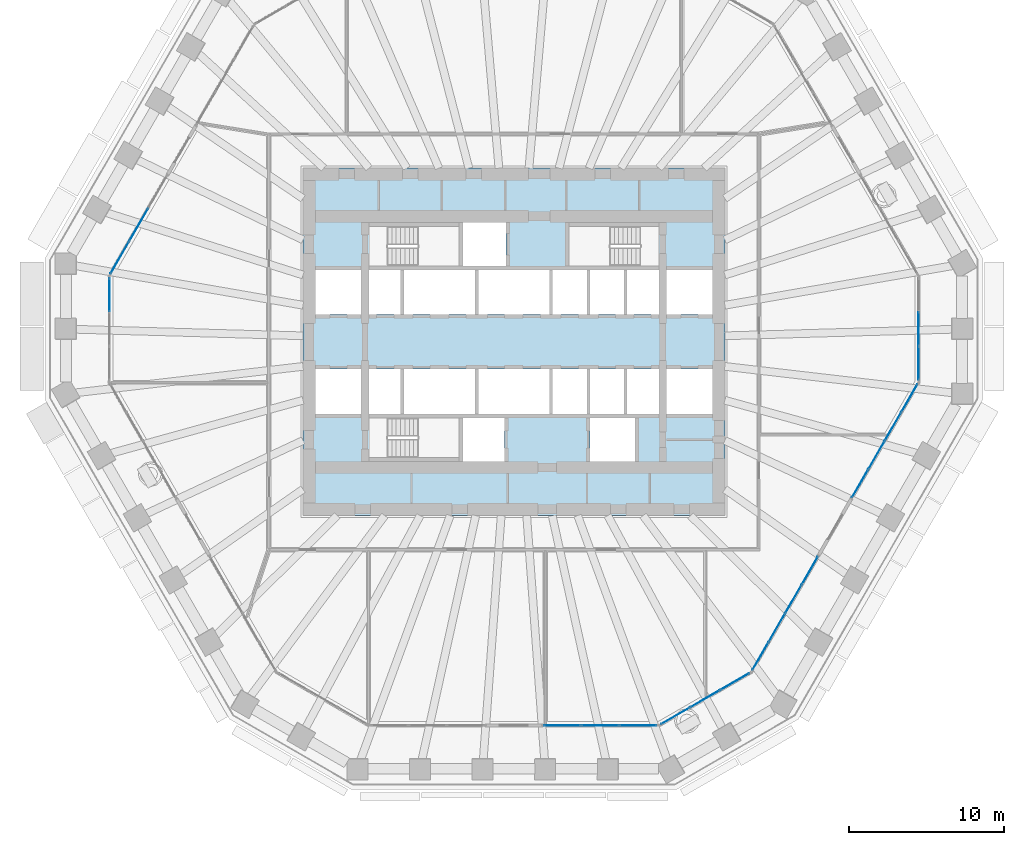
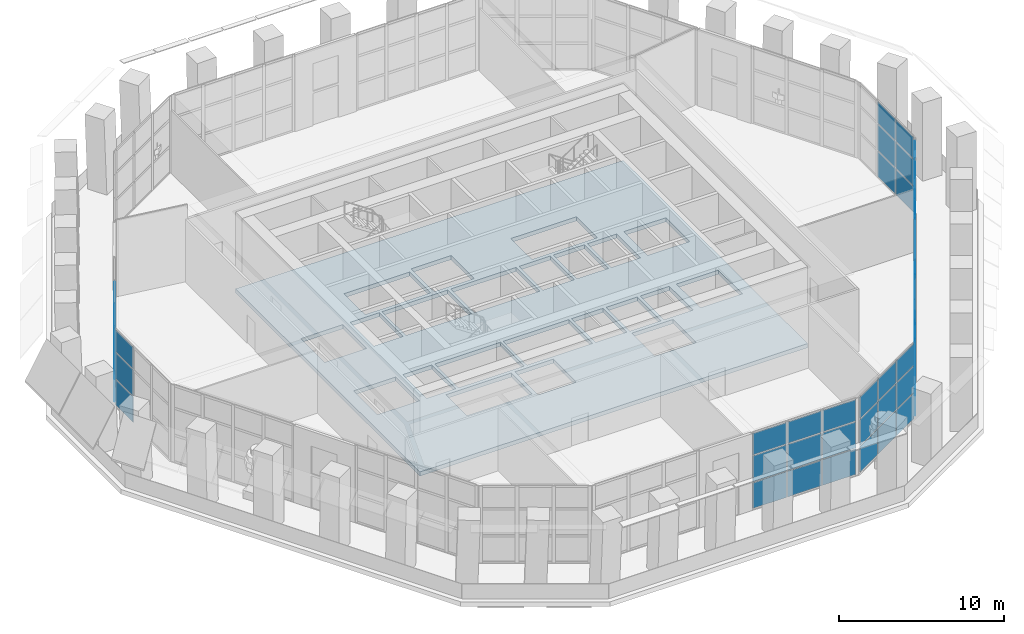
# One storey, part 11 of 22: 57 plates, 1 slab, 7 elements without a shape of their own.
"""IFC4 building model written with IfcOpenShell, lengths in metres."""

import ifcopenshell
import ifcopenshell.guid

model = None  # the IFC model being written
_history = None  # IfcOwnerHistory: only IFC2X3 demands one
_inside = {}  # id of a spatial element -> (the spatial element, [elements in it])
_under = {}  # id of a project, library or spatial element -> (it, [spatial elements below it])
_declared = {}  # id of a project -> (the project, [libraries it declares])
_typed = {}  # id of a type object -> (the type object, [elements of that type])
_made_of = {}  # id of a material, layer set ... -> (it, [elements and type objects made of it])


def new_model(schema):
    """Start an empty IFC model of exactly this schema.

    Asked for "IFC4X3", IfcOpenShell would pick the latest addendum, in which some entities
    have other attributes; the version numbers below select the first issue.
    IFC2X3 requires an IfcOwnerHistory on every rooted entity: one is made here for all.
    """
    global model, _history
    if schema == "IFC4X3":
        model = ifcopenshell.file(schema_version=(4, 3, 0, 0))
    else:
        model = ifcopenshell.file(schema=schema)
    _inside.clear()
    _under.clear()
    _declared.clear()
    _typed.clear()
    _made_of.clear()
    _history = None
    if model.schema == "IFC2X3":
        org = make("IfcOrganization", Name="unknown")
        user = make(
            "IfcPersonAndOrganization",
            ThePerson=make("IfcPerson", FamilyName="unknown"),
            TheOrganization=org,
        )
        app = make(
            "IfcApplication",
            ApplicationDeveloper=org,
            Version="unknown",
            ApplicationFullName="unknown",
            ApplicationIdentifier="unknown",
        )
        _history = make(
            "IfcOwnerHistory",
            OwningUser=user,
            OwningApplication=app,
            ChangeAction="ADDED",
            CreationDate=0,
        )
    return model


def make(cls, **values):
    """One entity of the class cls with the attributes given. An attribute that is None is left unset."""
    return model.create_entity(
        cls, **{name: value for name, value in values.items() if value is not None}
    )


def rooted(cls, **values):
    """An entity with a GlobalId (a new one), such as an element, a storey or a relation."""
    return make(cls, GlobalId=ifcopenshell.guid.new(), OwnerHistory=_history, **values)


def si_unit(unit_type, name, prefix=None):
    """IfcSIUnit, for example si_unit("LENGTHUNIT", "METRE", prefix="MILLI")."""
    return make("IfcSIUnit", UnitType=unit_type, Prefix=prefix, Name=name)


def assignment(units):
    """IfcUnitAssignment: the units of a project."""
    return None if units is None else make("IfcUnitAssignment", Units=units)


def point(xyz):
    """IfcCartesianPoint."""
    return None if xyz is None else make("IfcCartesianPoint", Coordinates=xyz)


def direction(xyz):
    """IfcDirection."""
    return None if xyz is None else make("IfcDirection", DirectionRatios=xyz)


def frame(location, z_axis=None, x_axis=None):
    """IfcAxis2Placement3D, a coordinate frame: its origin and axes. An axis left out is left unset."""
    return make(
        "IfcAxis2Placement3D",
        Location=point(location),
        Axis=direction(z_axis),
        RefDirection=direction(x_axis),
    )


def frame_2d(location, x_axis=None):
    """IfcAxis2Placement2D, a coordinate frame in the plane: its origin and x axis."""
    return make(
        "IfcAxis2Placement2D", Location=point(location), RefDirection=direction(x_axis)
    )


def origin():
    """The frame at (0, 0, 0) with its axes left unset."""
    return frame((0.0, 0.0, 0.0))


def origin_2d():
    """The frame at (0, 0) in the plane with its x axis left unset."""
    return frame_2d((0.0, 0.0))


def place(relative_to, where):
    """IfcLocalPlacement: puts the frame where relative to a parent placement (None: the world)."""
    return make(
        "IfcLocalPlacement", PlacementRelTo=relative_to, RelativePlacement=where
    )


def context(
    kind, dimensions, precision=None, world=None, true_north=None, identifier=None
):
    """IfcGeometricRepresentationContext, for example the 3D "Model" context."""
    return make(
        "IfcGeometricRepresentationContext",
        ContextIdentifier=identifier,
        ContextType=kind,
        CoordinateSpaceDimension=dimensions,
        Precision=precision,
        WorldCoordinateSystem=world,
        TrueNorth=true_north,
    )


def subcontext(parent, identifier, kind, view, scale=None):
    """IfcGeometricRepresentationSubContext, for example "Body" below "Model"."""
    return make(
        "IfcGeometricRepresentationSubContext",
        ContextIdentifier=identifier,
        ContextType=kind,
        ParentContext=parent,
        TargetScale=scale,
        TargetView=view,
    )


def project(units=None, contexts=None):
    """IfcProject with its units and contexts."""
    return rooted(
        "IfcProject",
        Name="project",
        RepresentationContexts=contexts,
        UnitsInContext=assignment(units),
    )


def spatial(cls, under=None, at=None, **own):
    """A site, building, storey or space (cls), placed at a placement, below another one or the project."""
    s = rooted(cls, ObjectPlacement=at, **own)
    if under is not None:
        _under.setdefault(under.id(), (under, []))[1].append(s)
    return s


def polyline(points):
    """IfcPolyline through the points."""
    return make("IfcPolyline", Points=[point(p) for p in points])


def profile(cls, at=None, kind="AREA", **sizes):
    """A parametric profile (cls). Its sizes go by their IFC names, for example OverallWidth=200.0."""
    return make(cls, ProfileType=kind, Position=at, **sizes)


def rectangle(**sizes):
    """IfcRectangleProfileDef."""
    return profile("IfcRectangleProfileDef", **sizes)


def outline(outer, holes=None, kind="AREA"):
    """IfcArbitraryClosedProfileDef: a profile drawn as a closed curve; with holes, ...WithVoids."""
    if holes is None:
        return make("IfcArbitraryClosedProfileDef", ProfileType=kind, OuterCurve=outer)
    return make(
        "IfcArbitraryProfileDefWithVoids",
        ProfileType=kind,
        OuterCurve=outer,
        InnerCurves=holes,
    )


def extrude(swept, where, along, depth):
    """IfcExtrudedAreaSolid: the profile swept, set in the frame where, extruded along a direction by depth."""
    return make(
        "IfcExtrudedAreaSolid",
        SweptArea=swept,
        Position=where,
        ExtrudedDirection=direction(along),
        Depth=depth,
    )


def shape(context_of_items, identifier, shape_type, items):
    """IfcShapeRepresentation: the items that make up one representation, for example the "Body"."""
    return make(
        "IfcShapeRepresentation",
        ContextOfItems=context_of_items,
        RepresentationIdentifier=identifier,
        RepresentationType=shape_type,
        Items=items,
    )


def material(Name=None, Category=None):
    """IfcMaterial."""
    return make("IfcMaterial", Name=Name, Category=Category)


def layer(
    of_material, thickness, ventilated=None, Name=None, Category=None, Priority=None
):
    """IfcMaterialLayer: one layer of a wall or slab, of a material (None: an air gap)."""
    return make(
        "IfcMaterialLayer",
        Material=of_material,
        LayerThickness=thickness,
        IsVentilated=ventilated,
        Name=Name,
        Category=Category,
        Priority=Priority,
    )


def layer_set(layers, Name=None):
    """IfcMaterialLayerSet."""
    return make("IfcMaterialLayerSet", MaterialLayers=layers, LayerSetName=Name)


def made_of(thing, what):
    """Note that an element or type object is made of a material, layer set ...; save() writes the relation."""
    if what is not None:
        _made_of.setdefault(what.id(), (what, []))[1].append(thing)
    return thing


def type_object(cls, material=None, **own):
    """A type object (cls), such as IfcWallType, which elements share."""
    return made_of(rooted(cls, **own), material)


def element(
    cls,
    number,
    at=None,
    inside=None,
    cuts=None,
    type_object=None,
    material=None,
    context=None,
    identifier="Body",
    shape_type=None,
    held_by="IfcProductDefinitionShape",
    body=None,
    shapes=None,
    **own,
):
    """One element of the class cls, such as IfcWall. Its Tag is "e" and its number.

    at: its placement. inside: the storey or other place that contains it. cuts: it is an
    opening in that element (IfcRelVoidsElement). A single representation is given by context,
    identifier, shape_type and body (its items); several are given by shapes. held_by: the class
    of the entity that holds the representations. save() writes the other relations.
    """
    e = rooted(cls, Tag="e%d" % number, ObjectPlacement=at, **own)
    if body is not None:
        shapes = [shape(context, identifier, shape_type, body)]
    if shapes is not None:
        e.Representation = make(held_by, Representations=shapes)
    if inside is not None:
        _inside.setdefault(inside.id(), (inside, []))[1].append(e)
    if cuts is not None:
        rooted(
            "IfcRelVoidsElement", RelatingBuildingElement=cuts, RelatedOpeningElement=e
        )
    if type_object is not None:
        _typed.setdefault(type_object.id(), (type_object, []))[1].append(e)
    return made_of(e, material)


def aggregate(whole, parts):
    """IfcRelAggregates: a whole, such as a stair, and the parts it consists of."""
    return rooted("IfcRelAggregates", RelatingObject=whole, RelatedObjects=parts)


def save(model, path):
    """Write the relations noted so far, then the file.

    IfcRelAggregates (storeys below a building ...), IfcRelContainedInSpatialStructure (elements
    in a storey), IfcRelDefinesByType, IfcRelAssociatesMaterial and IfcRelDeclares: one each for
    every whole, place, type object, material and project.
    """
    for whole, parts in _under.values():
        aggregate(whole, parts)
    for where, things in _inside.values():
        rooted(
            "IfcRelContainedInSpatialStructure",
            RelatedElements=things,
            RelatingStructure=where,
        )
    for kind, things in _typed.values():
        rooted("IfcRelDefinesByType", RelatedObjects=things, RelatingType=kind)
    for what, things in _made_of.values():
        rooted("IfcRelAssociatesMaterial", RelatedObjects=things, RelatingMaterial=what)
    for by, libraries in _declared.values():
        rooted("IfcRelDeclares", RelatingContext=by, RelatedDefinitions=libraries)
    model.write(path)


model = new_model("IFC4")

# Units and contexts
model_context = context("Model", 3, precision=1e-05, world=origin(), true_north=direction((0.0, 1.0)))
body_context = subcontext(model_context, "Body", "Model", "MODEL_VIEW")
ifc_project = project(units=[si_unit("LENGTHUNIT", "METRE"), si_unit("AREAUNIT", "SQUARE_METRE"), si_unit("VOLUMEUNIT", "CUBIC_METRE"), si_unit("PLANEANGLEUNIT", "RADIAN"), si_unit("MASSUNIT", "GRAM", prefix="KILO")], contexts=[model_context])

# Site, building, storey
site_placement = place(None, origin())
site = spatial("IfcSite", under=ifc_project, at=site_placement, CompositionType="ELEMENT")
building_placement = place(site_placement, origin())
building = spatial("IfcBuilding", under=site, at=building_placement, Name="Frailejon Research Tower", CompositionType="ELEMENT")
storey_placement = place(building_placement, frame((0.0, 0.0, 107.199951171875)))
storey = spatial("IfcBuildingStorey", under=building, at=storey_placement, Name="L23", CompositionType="ELEMENT", Elevation=107.199951171875)

# Slab
ifc_material_1 = material(Name="Concrete C70/85", Category="concrete")
ifc_layer_1 = layer(ifc_material_1, 0.300048828125)
ifc_layer_set_1 = layer_set([ifc_layer_1], Name="Core floor slab 300 C70/85")
slab_type = type_object("IfcSlabType", Name="Core floor slab 300 C70/85", PredefinedType="FLOOR", material=ifc_layer_set_1)
slab_placement = place(storey_placement, frame((0.0, 0.0, -0.300048828125)))
element("IfcSlab", 1, at=slab_placement, inside=storey, type_object=slab_type, Name="Core floor slab", PredefinedType="FLOOR", context=body_context, shape_type="SweptSolid", body=[
    extrude(outline(polyline([(13.60009765625, -11.199951171875), (13.60009765625, 11.199951171875), (-13.60009765625, 11.199951171875), (-13.60009765625, -11.199951171875), (13.60009765625, -11.199951171875)]), holes=[polyline([(-9.85009765625, 1.75), (-9.85009765625, 4.64990234375), (-12.800048828125, 4.64990234375), (-12.800048828125, 1.75), (-9.85009765625, 1.75)]), polyline([(-7.300048828125, 1.75), (-7.300048828125, 4.64990234375), (-9.35009765625, 4.64990234375), (-9.35009765625, 1.75), (-7.300048828125, 1.75)]), polyline([(-2.5, 1.75), (-2.5, 4.64990234375), (-7.10009765625, 4.64990234375), (-7.10009765625, 1.75), (-2.5, 1.75)]), polyline([(2.300048828125, 1.75), (2.300048828125, 4.64990234375), (-2.300048828125, 4.64990234375), (-2.300048828125, 1.75), (2.300048828125, 1.75)]), polyline([(4.699951171875, 1.75), (4.699951171875, 4.64990234375), (2.5, 4.64990234375), (2.5, 1.75), (4.699951171875, 1.75)]), polyline([(7.10009765625, 1.75), (7.10009765625, 4.64990234375), (4.89990234375, 4.64990234375), (4.89990234375, 1.75), (7.10009765625, 1.75)]), polyline([(9.35009765625, 1.75), (9.35009765625, 4.64990234375), (7.300048828125, 4.64990234375), (7.300048828125, 1.75), (9.35009765625, 1.75)]), polyline([(12.800048828125, 1.75), (12.800048828125, 4.64990234375), (9.85009765625, 4.64990234375), (9.85009765625, 1.75), (12.800048828125, 1.75)]), polyline([(-9.85009765625, -4.64990234375), (-9.85009765625, -1.75), (-12.800048828125, -1.75), (-12.800048828125, -4.64990234375), (-9.85009765625, -4.64990234375)]), polyline([(-7.300048828125, -4.64990234375), (-7.300048828125, -1.75), (-9.35009765625, -1.75), (-9.35009765625, -4.64990234375), (-7.300048828125, -4.64990234375)]), polyline([(-2.5, -4.64990234375), (-2.5, -1.75), (-7.10009765625, -1.75), (-7.10009765625, -4.64990234375), (-2.5, -4.64990234375)]), polyline([(2.300048828125, -4.64990234375), (2.300048828125, -1.75), (-2.300048828125, -1.75), (-2.300048828125, -4.64990234375), (2.300048828125, -4.64990234375)]), polyline([(4.699951171875, -4.64990234375), (4.699951171875, -1.75), (2.5, -1.75), (2.5, -4.64990234375), (4.699951171875, -4.64990234375)]), polyline([(7.10009765625, -4.64990234375), (7.10009765625, -1.75), (4.89990234375, -1.75), (4.89990234375, -4.64990234375), (7.10009765625, -4.64990234375)]), polyline([(9.35009765625, -4.64990234375), (9.35009765625, -1.75), (7.300048828125, -1.75), (7.300048828125, -4.64990234375), (9.35009765625, -4.64990234375)]), polyline([(12.800048828125, -4.64990234375), (12.800048828125, -1.75), (9.85009765625, -1.75), (9.85009765625, -4.64990234375), (12.800048828125, -4.64990234375)]), polyline([(-8.14697265625, 4.89990234375), (-3.550048828125, 4.89990234375), (-3.550048828125, 7.449951171875), (-8.14697265625, 7.449951171875), (-8.14697265625, 4.89990234375)]), polyline([(-8.14697265625, -7.449951171875), (-3.550048828125, -7.449951171875), (-3.550048828125, -4.89990234375), (-8.14697265625, -4.89990234375), (-8.14697265625, -7.449951171875)]), polyline([(8.14697265625, 7.449951171875), (3.550048828125, 7.449951171875), (3.550048828125, 4.89990234375), (8.14697265625, 4.89990234375), (8.14697265625, 7.449951171875)]), polyline([(-0.60009765625, -7.699951171875), (-0.60009765625, -4.89990234375), (-3.300048828125, -4.89990234375), (-3.300048828125, -7.699951171875), (-0.60009765625, -7.699951171875)]), polyline([(7.800048828125, -7.699951171875), (7.800048828125, -4.89990234375), (4.89990234375, -4.89990234375), (4.89990234375, -7.699951171875), (7.800048828125, -7.699951171875)]), polyline([(-0.5, 4.89990234375), (-0.5, 7.699951171875), (-3.300048828125, 7.699951171875), (-3.300048828125, 4.89990234375), (-0.5, 4.89990234375)])]), origin(), (0.0, 0.0, 1.0), 0.300048828125),
])

# Curtain wall, plates
ifc_material_2 = material(Name="Aluminium curtain wall", Category="aluminium")
curtain_wall_type = type_object("IfcCurtainWallType", Name="Sky lobby curtain wall system", PredefinedType="NOTDEFINED", material=ifc_material_2)
curtain_wall_1_placement = place(storey_placement, origin())
curtain_wall_1 = element("IfcCurtainWall", 2, at=curtain_wall_1_placement, inside=storey, type_object=curtain_wall_type, Name="Curtain wall L23", PredefinedType="NOTDEFINED")
ifc_material_3 = material(Name="Clear laminated glass", Category="glass")
ifc_layer_2 = layer(ifc_material_3, 0.031982421875)
ifc_layer_set_2 = layer_set([ifc_layer_2], Name="Sky lobby curtain wall glass panel 32")
plate_type = type_object("IfcPlateType", Name="Sky lobby curtain wall glass panel 32", PredefinedType="CURTAIN_PANEL", material=ifc_layer_set_2)
plate_1_placement = place(storey_placement, frame((26.091796875, -1.377685546875, 0.070068359375), z_axis=(0.0, 0.0, 1.0), x_axis=(0.0, 1.0, 0.0)))
plate_1 = element("IfcPlate", 3, at=plate_1_placement, type_object=plate_type, Name="CW4-081 panel 1.1", PredefinedType="CURTAIN_PANEL", context=body_context, shape_type="SweptSolid", body=[
    extrude(rectangle(XDim=2.119873046875, YDim=0.031982421875, at=origin_2d()), origin(), (0.0, 0.0, 1.0), 1.89501953125),
])
plate_2_placement = place(storey_placement, frame((26.091796875, -1.377685546875, 2.03515625), z_axis=(0.0, 0.0, 1.0), x_axis=(0.0, 1.0, 0.0)))
plate_2 = element("IfcPlate", 4, at=plate_2_placement, type_object=plate_type, Name="CW4-081 panel 1.2", PredefinedType="CURTAIN_PANEL", context=body_context, shape_type="SweptSolid", body=[
    extrude(rectangle(XDim=2.119873046875, YDim=0.031982421875, at=origin_2d()), origin(), (0.0, 0.0, 1.0), 1.929931640625),
])
plate_3_placement = place(storey_placement, frame((26.091796875, -1.377685546875, 4.03515625), z_axis=(0.0, 0.0, 1.0), x_axis=(0.0, 1.0, 0.0)))
plate_3 = element("IfcPlate", 5, at=plate_3_placement, type_object=plate_type, Name="CW4-081 panel 1.3", PredefinedType="CURTAIN_PANEL", context=body_context, shape_type="SweptSolid", body=[
    extrude(rectangle(XDim=2.119873046875, YDim=0.031982421875, at=origin_2d()), origin(), (0.0, 0.0, 1.0), 1.594970703125),
])
plate_4_placement = place(storey_placement, frame((26.091796875, 0.82958984375, 0.070068359375), z_axis=(0.0, 0.0, 1.0), x_axis=(0.0, 1.0, 0.0)))
plate_4 = element("IfcPlate", 6, at=plate_4_placement, type_object=plate_type, Name="CW4-081 panel 2.1", PredefinedType="CURTAIN_PANEL", context=body_context, shape_type="SweptSolid", body=[
    extrude(rectangle(XDim=2.15478515625, YDim=0.031982421875, at=origin_2d()), origin(), (0.0, 0.0, 1.0), 1.89501953125),
])
plate_5_placement = place(storey_placement, frame((26.091796875, 0.82958984375, 2.03515625), z_axis=(0.0, 0.0, 1.0), x_axis=(0.0, 1.0, 0.0)))
plate_5 = element("IfcPlate", 7, at=plate_5_placement, type_object=plate_type, Name="CW4-081 panel 2.2", PredefinedType="CURTAIN_PANEL", context=body_context, shape_type="SweptSolid", body=[
    extrude(rectangle(XDim=2.15478515625, YDim=0.031982421875, at=origin_2d()), origin(), (0.0, 0.0, 1.0), 1.929931640625),
])
plate_6_placement = place(storey_placement, frame((26.091796875, 0.82958984375, 4.03515625), z_axis=(0.0, 0.0, 1.0), x_axis=(0.0, 1.0, 0.0)))
plate_6 = element("IfcPlate", 8, at=plate_6_placement, type_object=plate_type, Name="CW4-081 panel 2.3", PredefinedType="CURTAIN_PANEL", context=body_context, shape_type="SweptSolid", body=[
    extrude(rectangle(XDim=2.15478515625, YDim=0.031982421875, at=origin_2d()), origin(), (0.0, 0.0, 1.0), 1.594970703125),
])
aggregate(curtain_wall_1, [plate_1, plate_2, plate_3, plate_4, plate_5, plate_6])

curtain_wall_2_placement = place(storey_placement, origin())
curtain_wall_2 = element("IfcCurtainWall", 9, at=curtain_wall_2_placement, inside=storey, type_object=curtain_wall_type, Name="Curtain wall L23", PredefinedType="NOTDEFINED")
plate_7_placement = place(storey_placement, frame((-24.19677734375, 7.549560546875, 0.070068359375), z_axis=(0.0, 0.0, 1.0), x_axis=(-0.499994947925, -0.866028320581, 0.0)))
plate_7 = element("IfcPlate", 10, at=plate_7_placement, type_object=plate_type, Name="CW4-089 panel 2.1", PredefinedType="CURTAIN_PANEL", context=body_context, shape_type="SweptSolid", body=[
    extrude(rectangle(XDim=2.39013671875, YDim=0.031982421875, at=origin_2d()), origin(), (0.0, 0.0, 1.0), 1.89501953125),
])
plate_8_placement = place(storey_placement, frame((-24.19677734375, 7.549560546875, 2.03515625), z_axis=(0.0, 0.0, 1.0), x_axis=(-0.499994947925, -0.866028320581, 0.0)))
plate_8 = element("IfcPlate", 11, at=plate_8_placement, type_object=plate_type, Name="CW4-089 panel 2.2", PredefinedType="CURTAIN_PANEL", context=body_context, shape_type="SweptSolid", body=[
    extrude(rectangle(XDim=2.39013671875, YDim=0.031982421875, at=origin_2d()), origin(), (0.0, 0.0, 1.0), 1.929931640625),
])
plate_9_placement = place(storey_placement, frame((-24.19677734375, 7.549560546875, 4.03515625), z_axis=(0.0, 0.0, 1.0), x_axis=(-0.499994947925, -0.866028320581, 0.0)))
plate_9 = element("IfcPlate", 12, at=plate_9_placement, type_object=plate_type, Name="CW4-089 panel 2.3", PredefinedType="CURTAIN_PANEL", context=body_context, shape_type="SweptSolid", body=[
    extrude(rectangle(XDim=2.39013671875, YDim=0.031982421875, at=origin_2d()), origin(), (0.0, 0.0, 1.0), 1.594970703125),
])
plate_10_placement = place(storey_placement, frame((-25.41796875, 5.43408203125, 0.070068359375), z_axis=(0.0, 0.0, 1.0), x_axis=(-0.499994947925, -0.866028320581, 0.0)))
plate_10 = element("IfcPlate", 13, at=plate_10_placement, type_object=plate_type, Name="CW4-089 panel 3.1", PredefinedType="CURTAIN_PANEL", context=body_context, shape_type="SweptSolid", body=[
    extrude(rectangle(XDim=2.355224609375, YDim=0.031982421875, at=origin_2d()), origin(), (0.0, 0.0, 1.0), 1.89501953125),
])
plate_11_placement = place(storey_placement, frame((-25.41796875, 5.43408203125, 2.03515625), z_axis=(0.0, 0.0, 1.0), x_axis=(-0.499994947925, -0.866028320581, 0.0)))
plate_11 = element("IfcPlate", 14, at=plate_11_placement, type_object=plate_type, Name="CW4-089 panel 3.2", PredefinedType="CURTAIN_PANEL", context=body_context, shape_type="SweptSolid", body=[
    extrude(rectangle(XDim=2.355224609375, YDim=0.031982421875, at=origin_2d()), origin(), (0.0, 0.0, 1.0), 1.929931640625),
])
plate_12_placement = place(storey_placement, frame((-25.41796875, 5.43408203125, 4.03515625), z_axis=(0.0, 0.0, 1.0), x_axis=(-0.499994947925, -0.866028320581, 0.0)))
plate_12 = element("IfcPlate", 15, at=plate_12_placement, type_object=plate_type, Name="CW4-089 panel 3.3", PredefinedType="CURTAIN_PANEL", context=body_context, shape_type="SweptSolid", body=[
    extrude(rectangle(XDim=2.355224609375, YDim=0.031982421875, at=origin_2d()), origin(), (0.0, 0.0, 1.0), 1.594970703125),
])
aggregate(curtain_wall_2, [plate_7, plate_8, plate_9, plate_10, plate_11, plate_12])

curtain_wall_3_placement = place(storey_placement, origin())
curtain_wall_3 = element("IfcCurtainWall", 16, at=curtain_wall_3_placement, inside=storey, type_object=curtain_wall_type, Name="Curtain wall L23", PredefinedType="NOTDEFINED")
plate_13_placement = place(storey_placement, frame((-26.091796875, 3.037109375, 0.070068359375), z_axis=(0.0, 0.0, 1.0), x_axis=(0.0, -1.0, 0.0)))
plate_13 = element("IfcPlate", 17, at=plate_13_placement, type_object=plate_type, Name="CW4-090 panel 1.1", PredefinedType="CURTAIN_PANEL", context=body_context, shape_type="SweptSolid", body=[
    extrude(rectangle(XDim=2.119873046875, YDim=0.031982421875, at=origin_2d()), origin(), (0.0, 0.0, 1.0), 1.89501953125),
])
plate_14_placement = place(storey_placement, frame((-26.091796875, 3.037109375, 2.03515625), z_axis=(0.0, 0.0, 1.0), x_axis=(0.0, -1.0, 0.0)))
plate_14 = element("IfcPlate", 18, at=plate_14_placement, type_object=plate_type, Name="CW4-090 panel 1.2", PredefinedType="CURTAIN_PANEL", context=body_context, shape_type="SweptSolid", body=[
    extrude(rectangle(XDim=2.119873046875, YDim=0.031982421875, at=origin_2d()), origin(), (0.0, 0.0, 1.0), 1.929931640625),
])
plate_15_placement = place(storey_placement, frame((-26.091796875, 3.037109375, 4.03515625), z_axis=(0.0, 0.0, 1.0), x_axis=(0.0, -1.0, 0.0)))
plate_15 = element("IfcPlate", 19, at=plate_15_placement, type_object=plate_type, Name="CW4-090 panel 1.3", PredefinedType="CURTAIN_PANEL", context=body_context, shape_type="SweptSolid", body=[
    extrude(rectangle(XDim=2.119873046875, YDim=0.031982421875, at=origin_2d()), origin(), (0.0, 0.0, 1.0), 1.594970703125),
])
aggregate(curtain_wall_3, [plate_13, plate_14, plate_15])

curtain_wall_4_placement = place(storey_placement, origin())
curtain_wall_4 = element("IfcCurtainWall", 20, at=curtain_wall_4_placement, inside=storey, type_object=curtain_wall_type, Name="Curtain wall L23", PredefinedType="NOTDEFINED")
plate_16_placement = place(storey_placement, frame((3.11767578125, -24.729736328125, 0.070068359375), z_axis=(0.0, 0.0, 1.0), x_axis=(1.0, 0.0, 0.0)))
plate_16 = element("IfcPlate", 21, at=plate_16_placement, type_object=plate_type, Name="CW4-095 panel 1.1", PredefinedType="CURTAIN_PANEL", context=body_context, shape_type="SweptSolid", body=[
    extrude(rectangle(XDim=2.355224609375, YDim=0.031982421875, at=origin_2d()), origin(), (0.0, 0.0, 1.0), 1.89501953125),
])
plate_17_placement = place(storey_placement, frame((3.11767578125, -24.729736328125, 2.03515625), z_axis=(0.0, 0.0, 1.0), x_axis=(1.0, 0.0, 0.0)))
plate_17 = element("IfcPlate", 22, at=plate_17_placement, type_object=plate_type, Name="CW4-095 panel 1.2", PredefinedType="CURTAIN_PANEL", context=body_context, shape_type="SweptSolid", body=[
    extrude(rectangle(XDim=2.355224609375, YDim=0.031982421875, at=origin_2d()), origin(), (0.0, 0.0, 1.0), 1.929931640625),
])
plate_18_placement = place(storey_placement, frame((3.11767578125, -24.729736328125, 4.03515625), z_axis=(0.0, 0.0, 1.0), x_axis=(1.0, 0.0, 0.0)))
plate_18 = element("IfcPlate", 23, at=plate_18_placement, type_object=plate_type, Name="CW4-095 panel 1.3", PredefinedType="CURTAIN_PANEL", context=body_context, shape_type="SweptSolid", body=[
    extrude(rectangle(XDim=2.355224609375, YDim=0.031982421875, at=origin_2d()), origin(), (0.0, 0.0, 1.0), 1.594970703125),
])
plate_19_placement = place(storey_placement, frame((5.560302734375, -24.729736328125, 0.070068359375), z_axis=(0.0, 0.0, 1.0), x_axis=(1.0, 0.0, 0.0)))
plate_19 = element("IfcPlate", 24, at=plate_19_placement, type_object=plate_type, Name="CW4-095 panel 2.1", PredefinedType="CURTAIN_PANEL", context=body_context, shape_type="SweptSolid", body=[
    extrude(rectangle(XDim=2.39013671875, YDim=0.031982421875, at=origin_2d()), origin(), (0.0, 0.0, 1.0), 1.89501953125),
])
plate_20_placement = place(storey_placement, frame((5.560302734375, -24.729736328125, 2.03515625), z_axis=(0.0, 0.0, 1.0), x_axis=(1.0, 0.0, 0.0)))
plate_20 = element("IfcPlate", 25, at=plate_20_placement, type_object=plate_type, Name="CW4-095 panel 2.2", PredefinedType="CURTAIN_PANEL", context=body_context, shape_type="SweptSolid", body=[
    extrude(rectangle(XDim=2.39013671875, YDim=0.031982421875, at=origin_2d()), origin(), (0.0, 0.0, 1.0), 1.929931640625),
])
plate_21_placement = place(storey_placement, frame((5.560302734375, -24.729736328125, 4.03515625), z_axis=(0.0, 0.0, 1.0), x_axis=(1.0, 0.0, 0.0)))
plate_21 = element("IfcPlate", 26, at=plate_21_placement, type_object=plate_type, Name="CW4-095 panel 2.3", PredefinedType="CURTAIN_PANEL", context=body_context, shape_type="SweptSolid", body=[
    extrude(rectangle(XDim=2.39013671875, YDim=0.031982421875, at=origin_2d()), origin(), (0.0, 0.0, 1.0), 1.594970703125),
])
plate_22_placement = place(storey_placement, frame((8.0029296875, -24.729736328125, 0.070068359375), z_axis=(0.0, 0.0, 1.0), x_axis=(1.0, 0.0, 0.0)))
plate_22 = element("IfcPlate", 27, at=plate_22_placement, type_object=plate_type, Name="CW4-095 panel 3.1", PredefinedType="CURTAIN_PANEL", context=body_context, shape_type="SweptSolid", body=[
    extrude(rectangle(XDim=2.355224609375, YDim=0.031982421875, at=origin_2d()), origin(), (0.0, 0.0, 1.0), 1.89501953125),
])
plate_23_placement = place(storey_placement, frame((8.0029296875, -24.729736328125, 2.03515625), z_axis=(0.0, 0.0, 1.0), x_axis=(1.0, 0.0, 0.0)))
plate_23 = element("IfcPlate", 28, at=plate_23_placement, type_object=plate_type, Name="CW4-095 panel 3.2", PredefinedType="CURTAIN_PANEL", context=body_context, shape_type="SweptSolid", body=[
    extrude(rectangle(XDim=2.355224609375, YDim=0.031982421875, at=origin_2d()), origin(), (0.0, 0.0, 1.0), 1.929931640625),
])
plate_24_placement = place(storey_placement, frame((8.0029296875, -24.729736328125, 4.03515625), z_axis=(0.0, 0.0, 1.0), x_axis=(1.0, 0.0, 0.0)))
plate_24 = element("IfcPlate", 29, at=plate_24_placement, type_object=plate_type, Name="CW4-095 panel 3.3", PredefinedType="CURTAIN_PANEL", context=body_context, shape_type="SweptSolid", body=[
    extrude(rectangle(XDim=2.355224609375, YDim=0.031982421875, at=origin_2d()), origin(), (0.0, 0.0, 1.0), 1.594970703125),
])
aggregate(curtain_wall_4, [plate_16, plate_17, plate_18, plate_19, plate_20, plate_21, plate_22, plate_23, plate_24])

curtain_wall_5_placement = place(storey_placement, origin())
curtain_wall_5 = element("IfcCurtainWall", 30, at=curtain_wall_5_placement, inside=storey, type_object=curtain_wall_type, Name="Curtain wall L23", PredefinedType="NOTDEFINED")
plate_25_placement = place(storey_placement, frame((10.415771484375, -24.11474609375, 0.070068359375), z_axis=(0.0, 0.0, 1.0), x_axis=(0.866019921618, 0.50000949527, 0.0)))
plate_25 = element("IfcPlate", 31, at=plate_25_placement, type_object=plate_type, Name="CW4-096 panel 1.1", PredefinedType="CURTAIN_PANEL", context=body_context, shape_type="SweptSolid", body=[
    extrude(rectangle(XDim=2.119873046875, YDim=0.031982421875, at=origin_2d()), origin(), (0.0, 0.0, 1.0), 1.89501953125),
])
plate_26_placement = place(storey_placement, frame((10.415771484375, -24.11474609375, 2.03515625), z_axis=(0.0, 0.0, 1.0), x_axis=(0.866019921618, 0.50000949527, 0.0)))
plate_26 = element("IfcPlate", 32, at=plate_26_placement, type_object=plate_type, Name="CW4-096 panel 1.2", PredefinedType="CURTAIN_PANEL", context=body_context, shape_type="SweptSolid", body=[
    extrude(rectangle(XDim=2.119873046875, YDim=0.031982421875, at=origin_2d()), origin(), (0.0, 0.0, 1.0), 1.929931640625),
])
plate_27_placement = place(storey_placement, frame((10.415771484375, -24.11474609375, 4.03515625), z_axis=(0.0, 0.0, 1.0), x_axis=(0.866019921618, 0.50000949527, 0.0)))
plate_27 = element("IfcPlate", 33, at=plate_27_placement, type_object=plate_type, Name="CW4-096 panel 1.3", PredefinedType="CURTAIN_PANEL", context=body_context, shape_type="SweptSolid", body=[
    extrude(rectangle(XDim=2.119873046875, YDim=0.031982421875, at=origin_2d()), origin(), (0.0, 0.0, 1.0), 1.594970703125),
])
plate_28_placement = place(storey_placement, frame((12.327392578125, -23.010986328125, 0.070068359375), z_axis=(0.0, 0.0, 1.0), x_axis=(0.866019921618, 0.50000949527, 0.0)))
plate_28 = element("IfcPlate", 34, at=plate_28_placement, type_object=plate_type, Name="CW4-096 panel 2.1", PredefinedType="CURTAIN_PANEL", context=body_context, shape_type="SweptSolid", body=[
    extrude(rectangle(XDim=2.15478515625, YDim=0.031982421875, at=origin_2d()), origin(), (0.0, 0.0, 1.0), 1.89501953125),
])
plate_29_placement = place(storey_placement, frame((12.327392578125, -23.010986328125, 2.03515625), z_axis=(0.0, 0.0, 1.0), x_axis=(0.866019921618, 0.50000949527, 0.0)))
plate_29 = element("IfcPlate", 35, at=plate_29_placement, type_object=plate_type, Name="CW4-096 panel 2.2", PredefinedType="CURTAIN_PANEL", context=body_context, shape_type="SweptSolid", body=[
    extrude(rectangle(XDim=2.15478515625, YDim=0.031982421875, at=origin_2d()), origin(), (0.0, 0.0, 1.0), 1.929931640625),
])
plate_30_placement = place(storey_placement, frame((12.327392578125, -23.010986328125, 4.03515625), z_axis=(0.0, 0.0, 1.0), x_axis=(0.866019921618, 0.50000949527, 0.0)))
plate_30 = element("IfcPlate", 36, at=plate_30_placement, type_object=plate_type, Name="CW4-096 panel 2.3", PredefinedType="CURTAIN_PANEL", context=body_context, shape_type="SweptSolid", body=[
    extrude(rectangle(XDim=2.15478515625, YDim=0.031982421875, at=origin_2d()), origin(), (0.0, 0.0, 1.0), 1.594970703125),
])
plate_31_placement = place(storey_placement, frame((14.239013671875, -21.9072265625, 0.070068359375), z_axis=(0.0, 0.0, 1.0), x_axis=(0.866019921618, 0.50000949527, 0.0)))
plate_31 = element("IfcPlate", 37, at=plate_31_placement, type_object=plate_type, Name="CW4-096 panel 3.1", PredefinedType="CURTAIN_PANEL", context=body_context, shape_type="SweptSolid", body=[
    extrude(rectangle(XDim=2.119873046875, YDim=0.031982421875, at=origin_2d()), origin(), (0.0, 0.0, 1.0), 1.89501953125),
])
plate_32_placement = place(storey_placement, frame((14.239013671875, -21.9072265625, 2.03515625), z_axis=(0.0, 0.0, 1.0), x_axis=(0.866019921618, 0.50000949527, 0.0)))
plate_32 = element("IfcPlate", 38, at=plate_32_placement, type_object=plate_type, Name="CW4-096 panel 3.2", PredefinedType="CURTAIN_PANEL", context=body_context, shape_type="SweptSolid", body=[
    extrude(rectangle(XDim=2.119873046875, YDim=0.031982421875, at=origin_2d()), origin(), (0.0, 0.0, 1.0), 1.929931640625),
])
plate_33_placement = place(storey_placement, frame((14.239013671875, -21.9072265625, 4.03515625), z_axis=(0.0, 0.0, 1.0), x_axis=(0.866019921618, 0.50000949527, 0.0)))
plate_33 = element("IfcPlate", 39, at=plate_33_placement, type_object=plate_type, Name="CW4-096 panel 3.3", PredefinedType="CURTAIN_PANEL", context=body_context, shape_type="SweptSolid", body=[
    extrude(rectangle(XDim=2.119873046875, YDim=0.031982421875, at=origin_2d()), origin(), (0.0, 0.0, 1.0), 1.594970703125),
])
aggregate(curtain_wall_5, [plate_25, plate_26, plate_27, plate_28, plate_29, plate_30, plate_31, plate_32, plate_33])

curtain_wall_6_placement = place(storey_placement, origin())
curtain_wall_6 = element("IfcCurtainWall", 40, at=curtain_wall_6_placement, inside=storey, type_object=curtain_wall_type, Name="Curtain wall L23", PredefinedType="NOTDEFINED")
plate_34_placement = place(storey_placement, frame((15.89599609375, -20.26708984375, 0.070068359375), z_axis=(0.0, 0.0, 1.0), x_axis=(0.499999832193, 0.866025500668, 0.0)))
plate_34 = element("IfcPlate", 41, at=plate_34_placement, type_object=plate_type, Name="CW4-097 panel 1.1", PredefinedType="CURTAIN_PANEL", context=body_context, shape_type="SweptSolid", body=[
    extrude(rectangle(XDim=2.027587890625, YDim=0.031982421875, at=origin_2d()), origin(), (0.0, 0.0, 1.0), 1.89501953125),
])
plate_35_placement = place(storey_placement, frame((15.89599609375, -20.26708984375, 2.03515625), z_axis=(0.0, 0.0, 1.0), x_axis=(0.499999832193, 0.866025500668, 0.0)))
plate_35 = element("IfcPlate", 42, at=plate_35_placement, type_object=plate_type, Name="CW4-097 panel 1.2", PredefinedType="CURTAIN_PANEL", context=body_context, shape_type="SweptSolid", body=[
    extrude(rectangle(XDim=2.027587890625, YDim=0.031982421875, at=origin_2d()), origin(), (0.0, 0.0, 1.0), 1.929931640625),
])
plate_36_placement = place(storey_placement, frame((15.89599609375, -20.26708984375, 4.03515625), z_axis=(0.0, 0.0, 1.0), x_axis=(0.499999832193, 0.866025500668, 0.0)))
plate_36 = element("IfcPlate", 43, at=plate_36_placement, type_object=plate_type, Name="CW4-097 panel 1.3", PredefinedType="CURTAIN_PANEL", context=body_context, shape_type="SweptSolid", body=[
    extrude(rectangle(XDim=2.027587890625, YDim=0.031982421875, at=origin_2d()), origin(), (0.0, 0.0, 1.0), 1.594970703125),
])
plate_37_placement = place(storey_placement, frame((16.95361328125, -18.435546875, 0.070068359375), z_axis=(0.0, 0.0, 1.0), x_axis=(0.499999832193, 0.866025500668, 0.0)))
plate_37 = element("IfcPlate", 44, at=plate_37_placement, type_object=plate_type, Name="CW4-097 panel 2.1", PredefinedType="CURTAIN_PANEL", context=body_context, shape_type="SweptSolid", body=[
    extrude(rectangle(XDim=2.0625, YDim=0.031982421875, at=origin_2d()), origin(), (0.0, 0.0, 1.0), 1.89501953125),
])
plate_38_placement = place(storey_placement, frame((16.95361328125, -18.435546875, 2.03515625), z_axis=(0.0, 0.0, 1.0), x_axis=(0.499999832193, 0.866025500668, 0.0)))
plate_38 = element("IfcPlate", 45, at=plate_38_placement, type_object=plate_type, Name="CW4-097 panel 2.2", PredefinedType="CURTAIN_PANEL", context=body_context, shape_type="SweptSolid", body=[
    extrude(rectangle(XDim=2.0625, YDim=0.031982421875, at=origin_2d()), origin(), (0.0, 0.0, 1.0), 1.929931640625),
])
plate_39_placement = place(storey_placement, frame((16.95361328125, -18.435546875, 4.03515625), z_axis=(0.0, 0.0, 1.0), x_axis=(0.499999832193, 0.866025500668, 0.0)))
plate_39 = element("IfcPlate", 46, at=plate_39_placement, type_object=plate_type, Name="CW4-097 panel 2.3", PredefinedType="CURTAIN_PANEL", context=body_context, shape_type="SweptSolid", body=[
    extrude(rectangle(XDim=2.0625, YDim=0.031982421875, at=origin_2d()), origin(), (0.0, 0.0, 1.0), 1.594970703125),
])
plate_40_placement = place(storey_placement, frame((18.019775390625, -16.588623046875, 0.070068359375), z_axis=(0.0, 0.0, 1.0), x_axis=(0.499999832193, 0.866025500668, 0.0)))
plate_40 = element("IfcPlate", 47, at=plate_40_placement, type_object=plate_type, Name="CW4-097 panel 3.1", PredefinedType="CURTAIN_PANEL", context=body_context, shape_type="SweptSolid", body=[
    extrude(rectangle(XDim=2.0625, YDim=0.031982421875, at=origin_2d()), origin(), (0.0, 0.0, 1.0), 1.89501953125),
])
plate_41_placement = place(storey_placement, frame((18.019775390625, -16.588623046875, 2.03515625), z_axis=(0.0, 0.0, 1.0), x_axis=(0.499999832193, 0.866025500668, 0.0)))
plate_41 = element("IfcPlate", 48, at=plate_41_placement, type_object=plate_type, Name="CW4-097 panel 3.2", PredefinedType="CURTAIN_PANEL", context=body_context, shape_type="SweptSolid", body=[
    extrude(rectangle(XDim=2.0625, YDim=0.031982421875, at=origin_2d()), origin(), (0.0, 0.0, 1.0), 1.929931640625),
])
plate_42_placement = place(storey_placement, frame((18.019775390625, -16.588623046875, 4.03515625), z_axis=(0.0, 0.0, 1.0), x_axis=(0.499999832193, 0.866025500668, 0.0)))
plate_42 = element("IfcPlate", 49, at=plate_42_placement, type_object=plate_type, Name="CW4-097 panel 3.3", PredefinedType="CURTAIN_PANEL", context=body_context, shape_type="SweptSolid", body=[
    extrude(rectangle(XDim=2.0625, YDim=0.031982421875, at=origin_2d()), origin(), (0.0, 0.0, 1.0), 1.594970703125),
])
plate_43_placement = place(storey_placement, frame((19.077392578125, -14.757080078125, 0.070068359375), z_axis=(0.0, 0.0, 1.0), x_axis=(0.499999832193, 0.866025500668, 0.0)))
plate_43 = element("IfcPlate", 50, at=plate_43_placement, type_object=plate_type, Name="CW4-097 panel 4.1", PredefinedType="CURTAIN_PANEL", context=body_context, shape_type="SweptSolid", body=[
    extrude(rectangle(XDim=2.027587890625, YDim=0.031982421875, at=origin_2d()), origin(), (0.0, 0.0, 1.0), 1.89501953125),
])
plate_44_placement = place(storey_placement, frame((19.077392578125, -14.757080078125, 2.03515625), z_axis=(0.0, 0.0, 1.0), x_axis=(0.499999832193, 0.866025500668, 0.0)))
plate_44 = element("IfcPlate", 51, at=plate_44_placement, type_object=plate_type, Name="CW4-097 panel 4.2", PredefinedType="CURTAIN_PANEL", context=body_context, shape_type="SweptSolid", body=[
    extrude(rectangle(XDim=2.027587890625, YDim=0.031982421875, at=origin_2d()), origin(), (0.0, 0.0, 1.0), 1.929931640625),
])
plate_45_placement = place(storey_placement, frame((19.077392578125, -14.757080078125, 4.03515625), z_axis=(0.0, 0.0, 1.0), x_axis=(0.499999832193, 0.866025500668, 0.0)))
plate_45 = element("IfcPlate", 52, at=plate_45_placement, type_object=plate_type, Name="CW4-097 panel 4.3", PredefinedType="CURTAIN_PANEL", context=body_context, shape_type="SweptSolid", body=[
    extrude(rectangle(XDim=2.027587890625, YDim=0.031982421875, at=origin_2d()), origin(), (0.0, 0.0, 1.0), 1.594970703125),
])
aggregate(curtain_wall_6, [plate_34, plate_35, plate_36, plate_37, plate_38, plate_39, plate_40, plate_41, plate_42, plate_43, plate_44, plate_45])

curtain_wall_7_placement = place(storey_placement, origin())
curtain_wall_7 = element("IfcCurtainWall", 53, at=curtain_wall_7_placement, inside=storey, type_object=curtain_wall_type, Name="Curtain wall L23", PredefinedType="NOTDEFINED")
plate_46_placement = place(storey_placement, frame((22.318603515625, -9.14306640625, 0.070068359375), z_axis=(0.0, 0.0, 1.0), x_axis=(0.499999832193, 0.866025500668, 0.0)))
plate_46 = element("IfcPlate", 54, at=plate_46_placement, type_object=plate_type, Name="CW4-098 panel 1.1", PredefinedType="CURTAIN_PANEL", context=body_context, shape_type="SweptSolid", body=[
    extrude(rectangle(XDim=2.027587890625, YDim=0.031982421875, at=origin_2d()), origin(), (0.0, 0.0, 1.0), 1.89501953125),
])
plate_47_placement = place(storey_placement, frame((22.318603515625, -9.14306640625, 2.03515625), z_axis=(0.0, 0.0, 1.0), x_axis=(0.499999832193, 0.866025500668, 0.0)))
plate_47 = element("IfcPlate", 55, at=plate_47_placement, type_object=plate_type, Name="CW4-098 panel 1.2", PredefinedType="CURTAIN_PANEL", context=body_context, shape_type="SweptSolid", body=[
    extrude(rectangle(XDim=2.027587890625, YDim=0.031982421875, at=origin_2d()), origin(), (0.0, 0.0, 1.0), 1.929931640625),
])
plate_48_placement = place(storey_placement, frame((22.318603515625, -9.14306640625, 4.03515625), z_axis=(0.0, 0.0, 1.0), x_axis=(0.499999832193, 0.866025500668, 0.0)))
plate_48 = element("IfcPlate", 56, at=plate_48_placement, type_object=plate_type, Name="CW4-098 panel 1.3", PredefinedType="CURTAIN_PANEL", context=body_context, shape_type="SweptSolid", body=[
    extrude(rectangle(XDim=2.027587890625, YDim=0.031982421875, at=origin_2d()), origin(), (0.0, 0.0, 1.0), 1.594970703125),
])
plate_49_placement = place(storey_placement, frame((23.376220703125, -7.311279296875, 0.070068359375), z_axis=(0.0, 0.0, 1.0), x_axis=(0.499999832193, 0.866025500668, 0.0)))
plate_49 = element("IfcPlate", 57, at=plate_49_placement, type_object=plate_type, Name="CW4-098 panel 2.1", PredefinedType="CURTAIN_PANEL", context=body_context, shape_type="SweptSolid", body=[
    extrude(rectangle(XDim=2.0625, YDim=0.031982421875, at=origin_2d()), origin(), (0.0, 0.0, 1.0), 1.89501953125),
])
plate_50_placement = place(storey_placement, frame((23.376220703125, -7.311279296875, 2.03515625), z_axis=(0.0, 0.0, 1.0), x_axis=(0.499999832193, 0.866025500668, 0.0)))
plate_50 = element("IfcPlate", 58, at=plate_50_placement, type_object=plate_type, Name="CW4-098 panel 2.2", PredefinedType="CURTAIN_PANEL", context=body_context, shape_type="SweptSolid", body=[
    extrude(rectangle(XDim=2.0625, YDim=0.031982421875, at=origin_2d()), origin(), (0.0, 0.0, 1.0), 1.929931640625),
])
plate_51_placement = place(storey_placement, frame((23.376220703125, -7.311279296875, 4.03515625), z_axis=(0.0, 0.0, 1.0), x_axis=(0.499999832193, 0.866025500668, 0.0)))
plate_51 = element("IfcPlate", 59, at=plate_51_placement, type_object=plate_type, Name="CW4-098 panel 2.3", PredefinedType="CURTAIN_PANEL", context=body_context, shape_type="SweptSolid", body=[
    extrude(rectangle(XDim=2.0625, YDim=0.031982421875, at=origin_2d()), origin(), (0.0, 0.0, 1.0), 1.594970703125),
])
plate_52_placement = place(storey_placement, frame((24.4423828125, -5.464599609375, 0.070068359375), z_axis=(0.0, 0.0, 1.0), x_axis=(0.499999832193, 0.866025500668, 0.0)))
plate_52 = element("IfcPlate", 60, at=plate_52_placement, type_object=plate_type, Name="CW4-098 panel 3.1", PredefinedType="CURTAIN_PANEL", context=body_context, shape_type="SweptSolid", body=[
    extrude(rectangle(XDim=2.0625, YDim=0.031982421875, at=origin_2d()), origin(), (0.0, 0.0, 1.0), 1.89501953125),
])
plate_53_placement = place(storey_placement, frame((24.4423828125, -5.464599609375, 2.03515625), z_axis=(0.0, 0.0, 1.0), x_axis=(0.499999832193, 0.866025500668, 0.0)))
plate_53 = element("IfcPlate", 61, at=plate_53_placement, type_object=plate_type, Name="CW4-098 panel 3.2", PredefinedType="CURTAIN_PANEL", context=body_context, shape_type="SweptSolid", body=[
    extrude(rectangle(XDim=2.0625, YDim=0.031982421875, at=origin_2d()), origin(), (0.0, 0.0, 1.0), 1.929931640625),
])
plate_54_placement = place(storey_placement, frame((24.4423828125, -5.464599609375, 4.03515625), z_axis=(0.0, 0.0, 1.0), x_axis=(0.499999832193, 0.866025500668, 0.0)))
plate_54 = element("IfcPlate", 62, at=plate_54_placement, type_object=plate_type, Name="CW4-098 panel 3.3", PredefinedType="CURTAIN_PANEL", context=body_context, shape_type="SweptSolid", body=[
    extrude(rectangle(XDim=2.0625, YDim=0.031982421875, at=origin_2d()), origin(), (0.0, 0.0, 1.0), 1.594970703125),
])
plate_55_placement = place(storey_placement, frame((25.5, -3.6328125, 0.070068359375), z_axis=(0.0, 0.0, 1.0), x_axis=(0.499999832193, 0.866025500668, 0.0)))
plate_55 = element("IfcPlate", 63, at=plate_55_placement, type_object=plate_type, Name="CW4-098 panel 4.1", PredefinedType="CURTAIN_PANEL", context=body_context, shape_type="SweptSolid", body=[
    extrude(rectangle(XDim=2.027587890625, YDim=0.031982421875, at=origin_2d()), origin(), (0.0, 0.0, 1.0), 1.89501953125),
])
plate_56_placement = place(storey_placement, frame((25.5, -3.6328125, 2.03515625), z_axis=(0.0, 0.0, 1.0), x_axis=(0.499999832193, 0.866025500668, 0.0)))
plate_56 = element("IfcPlate", 64, at=plate_56_placement, type_object=plate_type, Name="CW4-098 panel 4.2", PredefinedType="CURTAIN_PANEL", context=body_context, shape_type="SweptSolid", body=[
    extrude(rectangle(XDim=2.027587890625, YDim=0.031982421875, at=origin_2d()), origin(), (0.0, 0.0, 1.0), 1.929931640625),
])
plate_57_placement = place(storey_placement, frame((25.5, -3.6328125, 4.03515625), z_axis=(0.0, 0.0, 1.0), x_axis=(0.499999832193, 0.866025500668, 0.0)))
plate_57 = element("IfcPlate", 65, at=plate_57_placement, type_object=plate_type, Name="CW4-098 panel 4.3", PredefinedType="CURTAIN_PANEL", context=body_context, shape_type="SweptSolid", body=[
    extrude(rectangle(XDim=2.027587890625, YDim=0.031982421875, at=origin_2d()), origin(), (0.0, 0.0, 1.0), 1.594970703125),
])
aggregate(curtain_wall_7, [plate_46, plate_47, plate_48, plate_49, plate_50, plate_51, plate_52, plate_53, plate_54, plate_55, plate_56, plate_57])

save(model, "model.ifc")
